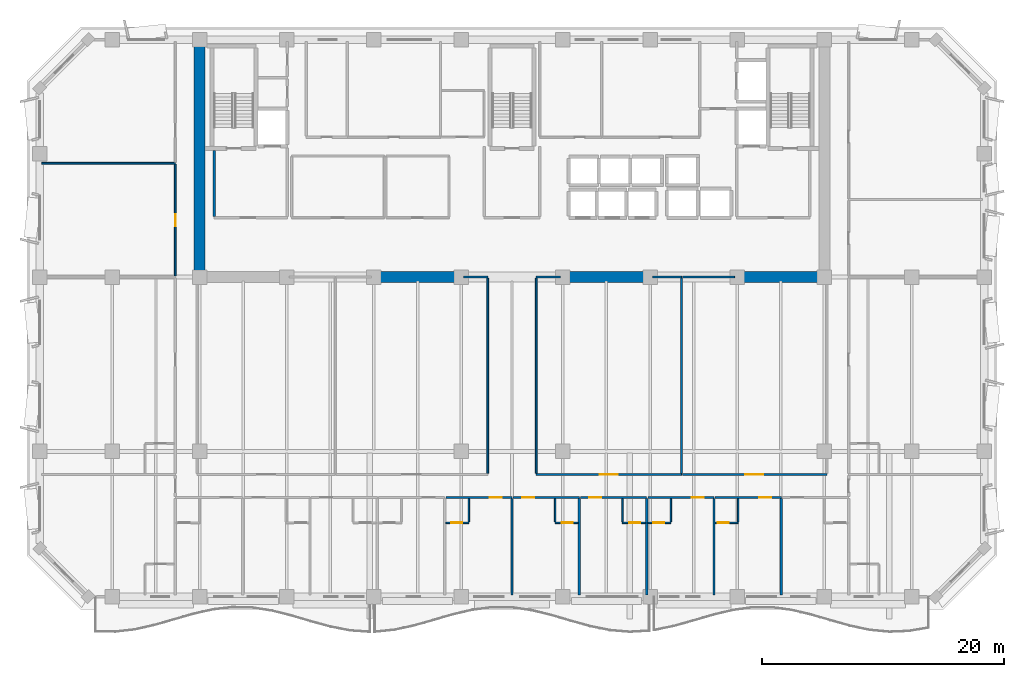
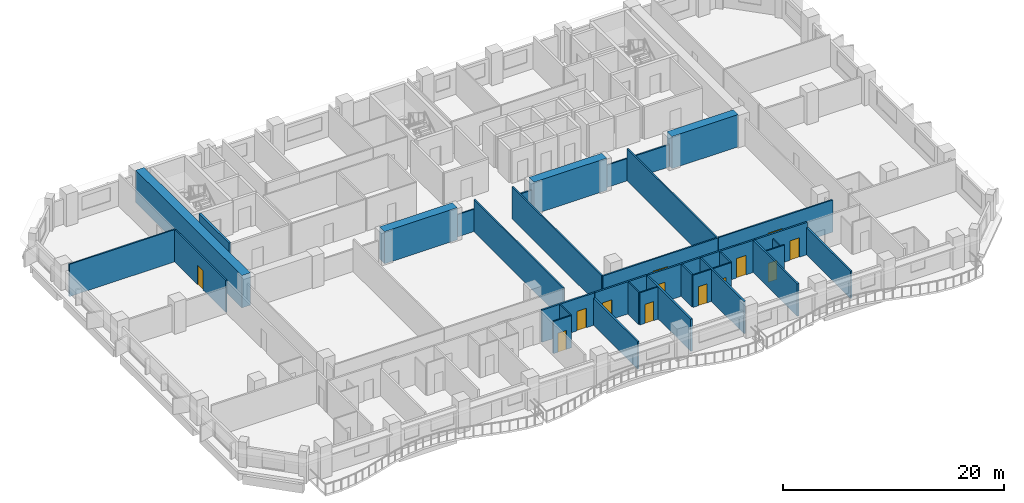
# One storey, part 6 of 15: 36 walls, 13 doors, 13 openings.
"""IFC4 building model written with IfcOpenShell, lengths in metres."""

from ifc_helpers import new_model, si_unit, direction, frame, frame_2d, origin, place, context, subcontext, project, spatial, rectangle, extrude, material, layer, layer_set, type_object, element, fill, save


model = new_model("IFC4")

# Units and contexts
model_context = context("Model", 3, precision=1e-05, world=origin(), true_north=direction((0.0, 1.0)))
body_context = subcontext(model_context, "Body", "Model", "MODEL_VIEW")
ifc_project = project(units=[si_unit("LENGTHUNIT", "METRE"), si_unit("AREAUNIT", "SQUARE_METRE"), si_unit("VOLUMEUNIT", "CUBIC_METRE"), si_unit("PLANEANGLEUNIT", "RADIAN"), si_unit("MASSUNIT", "GRAM", prefix="KILO")], contexts=[model_context])

# Site, building, storey
site_placement = place(None, origin())
site = spatial("IfcSite", under=ifc_project, at=site_placement, CompositionType="ELEMENT")
building_placement = place(site_placement, origin())
building = spatial("IfcBuilding", under=site, at=building_placement, Name="Kaelvorn Grand Hotel", CompositionType="ELEMENT")
storey_placement = place(building_placement, frame((0.0, 0.0, 139.14990234375)))
storey = spatial("IfcBuildingStorey", under=building, at=storey_placement, Name="L33", CompositionType="ELEMENT", Elevation=139.14990234375)

# Walls
ifc_material_1 = material(Name="Concrete C60/75", Category="concrete")
ifc_layer_1 = layer(ifc_material_1, 0.89990234375)
ifc_layer_set_1 = layer_set([ifc_layer_1], Name="Concrete C60/75")
wall_type_1 = type_object("IfcWallType", Name="WL-CORE-900-C60", PredefinedType="SHEAR", material=ifc_layer_set_1)
wall_1_placement = place(storey_placement, frame((16.199951171875, 29.39990234375, 0.0), z_axis=(0.0, 0.0, 1.0), x_axis=(0.0, 1.0, 0.0)))
element("IfcWall", 1, at=wall_1_placement, inside=storey, type_object=wall_type_1, Name="L33 Rear-Core West Shear Wall", PredefinedType="SHEAR", context=body_context, shape_type="SweptSolid", body=[
    extrude(rectangle(XDim=19.2001953125, YDim=0.89990234375, at=frame_2d((9.60009765625, 0.0))), origin(), (0.0, 0.0, 1.0), 3.56005859375),
])
for number, where, z_axis, x_axis, name in (
    (2, (30.39990234375, 29.39990234375, 0.0), (0.0, 0.0, 1.0), (1.0, 0.0, 0.0), "L33 Rear-Core Coupled Shear Pier S2"),
    (3, (46.0, 29.39990234375, 0.0), (0.0, 0.0, 1.0), (1.0, 0.0, 0.0), "L33 Rear-Core Coupled Shear Pier S3"),
):
    element("IfcWall", number, at=place(storey_placement, frame(where, z_axis=z_axis, x_axis=x_axis)), inside=storey, type_object=wall_type_1, Name=name, PredefinedType="SHEAR", context=body_context, shape_type="SweptSolid", body=[
        extrude(rectangle(XDim=7.60009765625, YDim=0.89990234375, at=frame_2d((3.800048828125, 0.0))), origin(), (0.0, 0.0, 1.0), 3.56005859375),
    ])
wall_2_placement = place(storey_placement, frame((60.39990234375, 29.39990234375, 0.0), z_axis=(0.0, 0.0, 1.0), x_axis=(1.0, 0.0, 0.0)))
element("IfcWall", 4, at=wall_2_placement, inside=storey, type_object=wall_type_1, Name="L33 Rear-Core Coupled Shear Pier S4", PredefinedType="SHEAR", context=body_context, shape_type="SweptSolid", body=[
    extrude(rectangle(XDim=6.945068359375, YDim=0.89990234375, at=frame_2d((3.47265625, 0.0))), origin(), (0.0, 0.0, 1.0), 3.56005859375),
])

# Wall, opening, door
ifc_material_2 = material(Name="Moisture-Resistant Tile & Stud Board")
ifc_layer_2 = layer(ifc_material_2, 0.125)
ifc_layer_set_2 = layer_set([ifc_layer_2], Name="Moisture-Resistant Tile & Stud Board")
wall_type_2 = type_object("IfcWallType", Name="WL-PART-125-WET", PredefinedType="PARTITIONING", material=ifc_layer_set_2)
wall_3_placement = place(storey_placement, frame((36.534912109375, 9.110107421875, 0.0), z_axis=(0.0, 0.0, 1.0), x_axis=(1.0, 0.0, 0.0)))
wall_3 = element("IfcWall", 5, at=wall_3_placement, inside=storey, type_object=wall_type_2, Name="L33 En-suite Bathroom L33-05 S Partition", PredefinedType="PARTITIONING", context=body_context, shape_type="SweptSolid", body=[
    extrude(rectangle(XDim=1.905029296875, YDim=0.125, at=frame_2d((0.95263671875, 0.0))), origin(), (0.0, 0.0, 1.0), 3.56005859375),
])
opening_1_placement = place(wall_3_placement, frame((0.455078125, 0.0, 0.0)))
opening_1 = element("IfcOpeningElement", 6, at=opening_1_placement, cuts=wall_3, Name="Opening DI4", PredefinedType="OPENING", context=body_context, shape_type="SweptSolid", body=[
    extrude(rectangle(XDim=0.89990234375, YDim=2.10009765625, at=frame_2d((0.449951171875, 1.050048828125))), frame((0.0, 0.072509765625, 0.0), z_axis=(0.0, -1.0, 0.0), x_axis=(1.0, 0.0, 0.0)), (0.0, 0.0, 1.0), 0.14501953125),
])
ifc_material_3 = material(Name="Timber Veneer Leaf", Category="wood")
door_type_1 = type_object("IfcDoorType", Name="DR-INT-BATH-900x2100", OperationType="NOTDEFINED", PredefinedType="DOOR", material=ifc_material_3)
door_1_placement = place(opening_1_placement, origin())
door_1 = element("IfcDoor", 7, at=door_1_placement, inside=storey, type_object=door_type_1, Name="L33 En-suite Bathroom L33-05 Door", OperationType="SINGLE_SWING_RIGHT", OverallHeight=2.10009765625, OverallWidth=0.89990234375, PredefinedType="DOOR", context=body_context, shape_type="SweptSolid", body=[
    extrude(rectangle(XDim=0.89990234375, YDim=2.10009765625, at=frame_2d((0.449951171875, 1.050048828125))), frame((0.0, 0.02490234375, 0.0), z_axis=(0.0, -1.0, 0.0), x_axis=(1.0, 0.0, 0.0)), (0.0, 0.0, 1.0), 0.050048828125),
])
fill(opening_1, door_1)

# Wall
wall_4_placement = place(storey_placement, frame((38.43994140625, 9.177490234375, 0.0), z_axis=(0.0, 0.0, 1.0), x_axis=(0.0, 1.0, 0.0)))
element("IfcWall", 8, at=wall_4_placement, inside=storey, type_object=wall_type_2, Name="L33 En-suite Bathroom L33-05 E Partition", PredefinedType="PARTITIONING", context=body_context, shape_type="SweptSolid", body=[
    extrude(rectangle(XDim=1.927490234375, YDim=0.125, at=frame_2d((0.9638671875, 0.0))), origin(), (0.0, 0.0, 1.0), 3.56005859375),
])

# Wall, opening, door
wall_5_placement = place(storey_placement, frame((45.56005859375, 9.110107421875, 0.0), z_axis=(0.0, 0.0, 1.0), x_axis=(1.0, 0.0, 0.0)))
wall_5 = element("IfcWall", 9, at=wall_5_placement, inside=storey, type_object=wall_type_2, Name="L33 En-suite Bathroom L33-06 S Partition", PredefinedType="PARTITIONING", context=body_context, shape_type="SweptSolid", body=[
    extrude(rectangle(XDim=1.905029296875, YDim=0.125, at=frame_2d((0.95263671875, 0.0))), origin(), (0.0, 0.0, 1.0), 3.56005859375),
])
opening_2_placement = place(wall_5_placement, frame((0.550048828125, 0.0, 0.0)))
opening_2 = element("IfcOpeningElement", 10, at=opening_2_placement, cuts=wall_5, Name="Opening DI4", PredefinedType="OPENING", context=body_context, shape_type="SweptSolid", body=[
    extrude(rectangle(XDim=0.89990234375, YDim=2.10009765625, at=frame_2d((0.449951171875, 1.050048828125))), frame((0.0, 0.072509765625, 0.0), z_axis=(0.0, -1.0, 0.0), x_axis=(1.0, 0.0, 0.0)), (0.0, 0.0, 1.0), 0.14501953125),
])
door_2_placement = place(opening_2_placement, origin())
door_2 = element("IfcDoor", 11, at=door_2_placement, inside=storey, type_object=door_type_1, Name="L33 En-suite Bathroom L33-06 Door", OperationType="SINGLE_SWING_RIGHT", OverallHeight=2.10009765625, OverallWidth=0.89990234375, PredefinedType="DOOR", context=body_context, shape_type="SweptSolid", body=[
    extrude(rectangle(XDim=0.89990234375, YDim=2.10009765625, at=frame_2d((0.449951171875, 1.050048828125))), frame((0.0, 0.02490234375, 0.0), z_axis=(0.0, -1.0, 0.0), x_axis=(1.0, 0.0, 0.0)), (0.0, 0.0, 1.0), 0.050048828125),
])
fill(opening_2, door_2)

# Wall
wall_6_placement = place(storey_placement, frame((45.56005859375, 9.177490234375, 0.0), z_axis=(0.0, 0.0, 1.0), x_axis=(0.0, 1.0, 0.0)))
element("IfcWall", 12, at=wall_6_placement, inside=storey, type_object=wall_type_2, Name="L33 En-suite Bathroom L33-06 W Partition", PredefinedType="PARTITIONING", context=body_context, shape_type="SweptSolid", body=[
    extrude(rectangle(XDim=1.927490234375, YDim=0.125, at=frame_2d((0.9638671875, 0.0))), origin(), (0.0, 0.0, 1.0), 3.56005859375),
])

# Wall, opening, door
wall_7_placement = place(storey_placement, frame((51.1201171875, 9.110107421875, 0.0), z_axis=(0.0, 0.0, 1.0), x_axis=(1.0, 0.0, 0.0)))
wall_7 = element("IfcWall", 13, at=wall_7_placement, inside=storey, type_object=wall_type_2, Name="L33 En-suite Bathroom L33-07 S Partition", PredefinedType="PARTITIONING", context=body_context, shape_type="SweptSolid", body=[
    extrude(rectangle(XDim=1.90478515625, YDim=0.125, at=frame_2d((0.952392578125, 0.0))), origin(), (0.0, 0.0, 1.0), 3.56005859375),
])
opening_3_placement = place(wall_7_placement, frame((0.550048828125, 0.0, 0.0)))
opening_3 = element("IfcOpeningElement", 14, at=opening_3_placement, cuts=wall_7, Name="Opening DI4", PredefinedType="OPENING", context=body_context, shape_type="SweptSolid", body=[
    extrude(rectangle(XDim=0.89990234375, YDim=2.10009765625, at=frame_2d((0.449951171875, 1.050048828125))), frame((0.0, 0.072509765625, 0.0), z_axis=(0.0, -1.0, 0.0), x_axis=(1.0, 0.0, 0.0)), (0.0, 0.0, 1.0), 0.14501953125),
])
door_3_placement = place(opening_3_placement, origin())
door_3 = element("IfcDoor", 15, at=door_3_placement, inside=storey, type_object=door_type_1, Name="L33 En-suite Bathroom L33-07 Door", OperationType="SINGLE_SWING_RIGHT", OverallHeight=2.10009765625, OverallWidth=0.89990234375, PredefinedType="DOOR", context=body_context, shape_type="SweptSolid", body=[
    extrude(rectangle(XDim=0.89990234375, YDim=2.10009765625, at=frame_2d((0.449951171875, 1.050048828125))), frame((0.0, 0.02490234375, 0.0), z_axis=(0.0, -1.0, 0.0), x_axis=(1.0, 0.0, 0.0)), (0.0, 0.0, 1.0), 0.050048828125),
])
fill(opening_3, door_3)

# Wall
wall_8_placement = place(storey_placement, frame((51.1201171875, 9.177490234375, 0.0), z_axis=(0.0, 0.0, 1.0), x_axis=(0.0, 1.0, 0.0)))
element("IfcWall", 16, at=wall_8_placement, inside=storey, type_object=wall_type_2, Name="L33 En-suite Bathroom L33-07 W Partition", PredefinedType="PARTITIONING", context=body_context, shape_type="SweptSolid", body=[
    extrude(rectangle(XDim=1.927490234375, YDim=0.125, at=frame_2d((0.9638671875, 0.0))), origin(), (0.0, 0.0, 1.0), 3.56005859375),
])

# Wall, opening, door
wall_9_placement = place(storey_placement, frame((53.215087890625, 9.110107421875, 0.0), z_axis=(0.0, 0.0, 1.0), x_axis=(1.0, 0.0, 0.0)))
wall_9 = element("IfcWall", 17, at=wall_9_placement, inside=storey, type_object=wall_type_2, Name="L33 En-suite Bathroom L33-08 S Partition", PredefinedType="PARTITIONING", context=body_context, shape_type="SweptSolid", body=[
    extrude(rectangle(XDim=1.905029296875, YDim=0.125, at=frame_2d((0.95263671875, 0.0))), origin(), (0.0, 0.0, 1.0), 3.56005859375),
])
opening_4_placement = place(wall_9_placement, frame((0.455078125, 0.0, 0.0)))
opening_4 = element("IfcOpeningElement", 18, at=opening_4_placement, cuts=wall_9, Name="Opening DI4", PredefinedType="OPENING", context=body_context, shape_type="SweptSolid", body=[
    extrude(rectangle(XDim=0.89990234375, YDim=2.10009765625, at=frame_2d((0.449951171875, 1.050048828125))), frame((0.0, 0.072509765625, 0.0), z_axis=(0.0, -1.0, 0.0), x_axis=(1.0, 0.0, 0.0)), (0.0, 0.0, 1.0), 0.14501953125),
])
door_4_placement = place(opening_4_placement, origin())
door_4 = element("IfcDoor", 19, at=door_4_placement, inside=storey, type_object=door_type_1, Name="L33 En-suite Bathroom L33-08 Door", OperationType="SINGLE_SWING_RIGHT", OverallHeight=2.10009765625, OverallWidth=0.89990234375, PredefinedType="DOOR", context=body_context, shape_type="SweptSolid", body=[
    extrude(rectangle(XDim=0.89990234375, YDim=2.10009765625, at=frame_2d((0.449951171875, 1.050048828125))), frame((0.0, 0.02490234375, 0.0), z_axis=(0.0, -1.0, 0.0), x_axis=(1.0, 0.0, 0.0)), (0.0, 0.0, 1.0), 0.050048828125),
])
fill(opening_4, door_4)

# Wall
wall_10_placement = place(storey_placement, frame((55.1201171875, 9.177490234375, 0.0), z_axis=(0.0, 0.0, 1.0), x_axis=(0.0, 1.0, 0.0)))
element("IfcWall", 20, at=wall_10_placement, inside=storey, type_object=wall_type_2, Name="L33 En-suite Bathroom L33-08 E Partition", PredefinedType="PARTITIONING", context=body_context, shape_type="SweptSolid", body=[
    extrude(rectangle(XDim=1.927490234375, YDim=0.125, at=frame_2d((0.9638671875, 0.0))), origin(), (0.0, 0.0, 1.0), 3.56005859375),
])

# Wall, opening, door
wall_11_placement = place(storey_placement, frame((58.77490234375, 9.110107421875, 0.0), z_axis=(0.0, 0.0, 1.0), x_axis=(1.0, 0.0, 0.0)))
wall_11 = element("IfcWall", 21, at=wall_11_placement, inside=storey, type_object=wall_type_2, Name="L33 En-suite Bathroom L33-09 S Partition", PredefinedType="PARTITIONING", context=body_context, shape_type="SweptSolid", body=[
    extrude(rectangle(XDim=1.905029296875, YDim=0.125, at=frame_2d((0.95263671875, 0.0))), origin(), (0.0, 0.0, 1.0), 3.56005859375),
])
opening_5_placement = place(wall_11_placement, frame((0.205078125, 0.0, 0.0)))
opening_5 = element("IfcOpeningElement", 22, at=opening_5_placement, cuts=wall_11, Name="Opening DI4", PredefinedType="OPENING", context=body_context, shape_type="SweptSolid", body=[
    extrude(rectangle(XDim=0.89990234375, YDim=2.10009765625, at=frame_2d((0.449951171875, 1.050048828125))), frame((0.0, 0.072509765625, 0.0), z_axis=(0.0, -1.0, 0.0), x_axis=(1.0, 0.0, 0.0)), (0.0, 0.0, 1.0), 0.14501953125),
])
door_5_placement = place(opening_5_placement, origin())
door_5 = element("IfcDoor", 23, at=door_5_placement, inside=storey, type_object=door_type_1, Name="L33 En-suite Bathroom L33-09 Door", OperationType="SINGLE_SWING_RIGHT", OverallHeight=2.10009765625, OverallWidth=0.89990234375, PredefinedType="DOOR", context=body_context, shape_type="SweptSolid", body=[
    extrude(rectangle(XDim=0.89990234375, YDim=2.10009765625, at=frame_2d((0.449951171875, 1.050048828125))), frame((0.0, 0.02490234375, 0.0), z_axis=(0.0, -1.0, 0.0), x_axis=(1.0, 0.0, 0.0)), (0.0, 0.0, 1.0), 0.050048828125),
])
fill(opening_5, door_5)

# Walls
wall_12_placement = place(storey_placement, frame((60.679931640625, 9.177490234375, 0.0), z_axis=(0.0, 0.0, 1.0), x_axis=(0.0, 1.0, 0.0)))
element("IfcWall", 24, at=wall_12_placement, inside=storey, type_object=wall_type_2, Name="L33 En-suite Bathroom L33-09 E Partition", PredefinedType="PARTITIONING", context=body_context, shape_type="SweptSolid", body=[
    extrude(rectangle(XDim=1.927490234375, YDim=0.125, at=frame_2d((0.9638671875, 0.0))), origin(), (0.0, 0.0, 1.0), 3.010009765625),
])
ifc_material_4 = material(Name="Acoustic Gypsum & Stud Partition")
ifc_layer_3 = layer(ifc_material_4, 0.14990234375)
ifc_layer_set_3 = layer_set([ifc_layer_3], Name="Acoustic Gypsum & Stud Partition")
wall_type_3 = type_object("IfcWallType", Name="WL-PART-150-EI60", PredefinedType="PARTITIONING", material=ifc_layer_set_3)
wall_13_placement = place(storey_placement, frame((38.010009765625, 29.39990234375, 0.0), z_axis=(0.0, 0.0, 1.0), x_axis=(1.0, 0.0, 0.0)))
element("IfcWall", 25, at=wall_13_placement, inside=storey, type_object=wall_type_3, Name="L33 Hospitality Tea Kitchen N Partition (2)", PredefinedType="PARTITIONING", context=body_context, shape_type="SweptSolid", body=[
    extrude(rectangle(XDim=1.989990234375, YDim=0.14990234375, at=frame_2d((0.9951171875, 0.0))), origin(), (0.0, 0.0, 1.0), 2.460205078125),
])
wall_14_placement = place(storey_placement, frame((40.0, 13.179931640625, 0.0), z_axis=(0.0, 0.0, 1.0), x_axis=(0.0, 1.0, 0.0)))
element("IfcWall", 26, at=wall_14_placement, inside=storey, type_object=wall_type_3, Name="L33 Hospitality Tea Kitchen E Partition", PredefinedType="PARTITIONING", context=body_context, shape_type="SweptSolid", body=[
    extrude(rectangle(XDim=16.14013671875, YDim=0.14990234375, at=frame_2d((8.070068359375, 0.0))), origin(), (0.0, 0.0, 1.0), 3.56005859375),
])

# Wall, opening, door
wall_15_placement = place(storey_placement, frame((44.0, 13.10009765625, 0.0), z_axis=(0.0, 0.0, 1.0), x_axis=(1.0, 0.0, 0.0)))
wall_15 = element("IfcWall", 27, at=wall_15_placement, inside=storey, type_object=wall_type_3, Name="L33 Executive Study Office S Partition", PredefinedType="PARTITIONING", context=body_context, shape_type="SweptSolid", body=[
    extrude(rectangle(XDim=12.0, YDim=0.14990234375, at=frame_2d((6.0, 0.0))), origin(), (0.0, 0.0, 1.0), 3.56005859375),
])
opening_6_placement = place(wall_15_placement, frame((5.25, 0.0, 0.0)))
opening_6 = element("IfcOpeningElement", 28, at=opening_6_placement, cuts=wall_15, Name="Opening DI5", PredefinedType="OPENING", context=body_context, shape_type="SweptSolid", body=[
    extrude(rectangle(XDim=1.5, YDim=2.25, at=frame_2d((0.75, 1.125))), frame((0.0, 0.0849609375, 0.0), z_axis=(0.0, -1.0, 0.0), x_axis=(1.0, 0.0, 0.0)), (0.0, 0.0, 1.0), 0.169921875),
])
ifc_material_5 = material(Name="Timber Veneer Fire Leaf", Category="wood")
door_type_2 = type_object("IfcDoorType", Name="DR-INT-SALON-1500x2250", OperationType="DOUBLE_DOOR_SINGLE_SWING", PredefinedType="DOOR", material=ifc_material_5)
door_6_placement = place(opening_6_placement, origin())
door_6 = element("IfcDoor", 29, at=door_6_placement, inside=storey, type_object=door_type_2, Name="L33 Executive Study Office Door", OperationType="DOUBLE_DOOR_SINGLE_SWING", OverallHeight=2.25, OverallWidth=1.5, PredefinedType="DOOR", context=body_context, shape_type="SweptSolid", body=[
    extrude(rectangle(XDim=1.5, YDim=2.25, at=frame_2d((0.75, 1.125))), frame((0.0, 0.02490234375, 0.0), z_axis=(0.0, -1.0, 0.0), x_axis=(1.0, 0.0, 0.0)), (0.0, 0.0, 1.0), 0.050048828125),
])
fill(opening_6, door_6)

# Walls
wall_16_placement = place(storey_placement, frame((44.0, 29.39990234375, 0.0), z_axis=(0.0, 0.0, 1.0), x_axis=(1.0, 0.0, 0.0)))
element("IfcWall", 30, at=wall_16_placement, inside=storey, type_object=wall_type_3, Name="L33 Executive Study Office N Partition (1)", PredefinedType="PARTITIONING", context=body_context, shape_type="SweptSolid", body=[
    extrude(rectangle(XDim=1.989990234375, YDim=0.14990234375, at=frame_2d((0.9951171875, 0.0))), origin(), (0.0, 0.0, 1.0), 2.460205078125),
])
wall_17_placement = place(storey_placement, frame((53.610107421875, 29.39990234375, 0.0), z_axis=(0.0, 0.0, 1.0), x_axis=(1.0, 0.0, 0.0)))
element("IfcWall", 31, at=wall_17_placement, inside=storey, type_object=wall_type_3, Name="L33 Executive Study Office N Partition (2)", PredefinedType="PARTITIONING", context=body_context, shape_type="SweptSolid", body=[
    extrude(rectangle(XDim=2.389892578125, YDim=0.14990234375, at=frame_2d((1.19482421875, 0.0))), origin(), (0.0, 0.0, 1.0), 2.460205078125),
])
for number, where, z_axis, x_axis, name in (
    (32, (44.0, 13.179931640625, 0.0), (0.0, 0.0, 1.0), (0.0, 1.0, 0.0), "L33 Executive Study Office W Partition"),
    (33, (56.0, 13.179931640625, 0.0), (0.0, 0.0, 1.0), (0.0, 1.0, 0.0), "L33 Executive Study Office E Partition"),
):
    element("IfcWall", number, at=place(storey_placement, frame(where, z_axis=z_axis, x_axis=x_axis)), inside=storey, type_object=wall_type_3, Name=name, PredefinedType="PARTITIONING", context=body_context, shape_type="SweptSolid", body=[
        extrude(rectangle(XDim=16.14013671875, YDim=0.14990234375, at=frame_2d((8.070068359375, 0.0))), origin(), (0.0, 0.0, 1.0), 3.56005859375),
    ])

# Wall, opening, door
wall_18_placement = place(storey_placement, frame((56.080078125, 13.10009765625, 0.0), z_axis=(0.0, 0.0, 1.0), x_axis=(1.0, 0.0, 0.0)))
wall_18 = element("IfcWall", 34, at=wall_18_placement, inside=storey, type_object=wall_type_3, Name="L33 Wellness Fitness Gym S Partition", PredefinedType="PARTITIONING", context=body_context, shape_type="SweptSolid", body=[
    extrude(rectangle(XDim=11.919921875, YDim=0.14990234375, at=frame_2d((5.9599609375, 0.0))), origin(), (0.0, 0.0, 1.0), 3.56005859375),
])
opening_7_placement = place(wall_18_placement, frame((5.169921875, 0.0, 0.0)))
opening_7 = element("IfcOpeningElement", 35, at=opening_7_placement, cuts=wall_18, Name="Opening DI5", PredefinedType="OPENING", context=body_context, shape_type="SweptSolid", body=[
    extrude(rectangle(XDim=1.5, YDim=2.25, at=frame_2d((0.75, 1.125))), frame((0.0, 0.0849609375, 0.0), z_axis=(0.0, -1.0, 0.0), x_axis=(1.0, 0.0, 0.0)), (0.0, 0.0, 1.0), 0.169921875),
])
door_7_placement = place(opening_7_placement, origin())
door_7 = element("IfcDoor", 36, at=door_7_placement, inside=storey, type_object=door_type_2, Name="L33 Wellness Fitness Gym Door", OperationType="DOUBLE_DOOR_SINGLE_SWING", OverallHeight=2.25, OverallWidth=1.5, PredefinedType="DOOR", context=body_context, shape_type="SweptSolid", body=[
    extrude(rectangle(XDim=1.5, YDim=2.25, at=frame_2d((0.75, 1.125))), frame((0.0, 0.02490234375, 0.0), z_axis=(0.0, -1.0, 0.0), x_axis=(1.0, 0.0, 0.0)), (0.0, 0.0, 1.0), 0.050048828125),
])
fill(opening_7, door_7)

# Walls
wall_19_placement = place(storey_placement, frame((56.080078125, 29.39990234375, 0.0), z_axis=(0.0, 0.0, 1.0), x_axis=(1.0, 0.0, 0.0)))
element("IfcWall", 37, at=wall_19_placement, inside=storey, type_object=wall_type_3, Name="L33 Wellness Fitness Gym N Partition", PredefinedType="PARTITIONING", context=body_context, shape_type="SweptSolid", body=[
    extrude(rectangle(XDim=4.309814453125, YDim=0.14990234375, at=frame_2d((2.15478515625, 0.0))), origin(), (0.0, 0.0, 1.0), 2.460205078125),
])
wall_20_placement = place(storey_placement, frame((3.14990234375, 38.800048828125, 0.0), z_axis=(0.0, 0.0, 1.0), x_axis=(1.0, 0.0, 0.0)))
element("IfcWall", 38, at=wall_20_placement, inside=storey, type_object=wall_type_3, Name="L33 North-West Private Dining Restaurant N Partition", PredefinedType="PARTITIONING", context=body_context, shape_type="SweptSolid", body=[
    extrude(rectangle(XDim=11.050048828125, YDim=0.14990234375, at=frame_2d((5.52490234375, 0.0))), origin(), (0.0, 0.0, 1.0), 3.56005859375),
])

# Wall, opening, door
wall_21_placement = place(storey_placement, frame((14.199951171875, 29.4951171875, 0.0), z_axis=(0.0, 0.0, 1.0), x_axis=(0.0, 1.0, 0.0)))
wall_21 = element("IfcWall", 39, at=wall_21_placement, inside=storey, type_object=wall_type_3, Name="L33 North-West Private Dining Restaurant E Partition", PredefinedType="PARTITIONING", context=body_context, shape_type="SweptSolid", body=[
    extrude(rectangle(XDim=9.224853515625, YDim=0.14990234375, at=frame_2d((4.6123046875, 0.0))), origin(), (0.0, 0.0, 1.0), 3.56005859375),
])
opening_8_placement = place(wall_21_placement, frame((4.10498046875, 0.0, 0.0)))
opening_8 = element("IfcOpeningElement", 40, at=opening_8_placement, cuts=wall_21, Name="Opening DI3", PredefinedType="OPENING", context=body_context, shape_type="SweptSolid", body=[
    extrude(rectangle(XDim=1.0, YDim=2.14990234375, at=frame_2d((0.5, 1.074951171875))), frame((0.0, 0.0849609375, 0.0), z_axis=(0.0, -1.0, 0.0), x_axis=(1.0, 0.0, 0.0)), (0.0, 0.0, 1.0), 0.169921875),
])
door_type_3 = type_object("IfcDoorType", Name="DR-INT-GUEST-1000x2150", OperationType="NOTDEFINED", PredefinedType="DOOR", material=ifc_material_5)
door_8_placement = place(opening_8_placement, origin())
door_8 = element("IfcDoor", 41, at=door_8_placement, inside=storey, type_object=door_type_3, Name="L33 North-West Private Dining Restaurant Door", OperationType="SINGLE_SWING_LEFT", OverallHeight=2.14990234375, OverallWidth=1.0, PredefinedType="DOOR", context=body_context, shape_type="SweptSolid", body=[
    extrude(rectangle(XDim=1.0, YDim=2.14990234375, at=frame_2d((0.5, 1.074951171875))), frame((0.0, 0.02490234375, 0.0), z_axis=(0.0, -1.0, 0.0), x_axis=(1.0, 0.0, 0.0)), (0.0, 0.0, 1.0), 0.050048828125),
])
fill(opening_8, door_8)

ifc_layer_4 = layer(ifc_material_4, 0.179931640625)
ifc_layer_set_4 = layer_set([ifc_layer_4], Name="Acoustic Gypsum & Stud Partition")
wall_type_4 = type_object("IfcWallType", Name="WL-PART-180-EI60", PredefinedType="PARTITIONING", material=ifc_layer_set_4)
wall_22_placement = place(storey_placement, frame((36.534912109375, 11.199951171875, 0.0), z_axis=(0.0, 0.0, 1.0), x_axis=(1.0, 0.0, 0.0)))
wall_22 = element("IfcWall", 42, at=wall_22_placement, inside=storey, type_object=wall_type_4, Name="L33 Mid-Rise Signature Suite L33-05 N Partition", PredefinedType="PARTITIONING", context=body_context, shape_type="SweptSolid", body=[
    extrude(rectangle(XDim=5.465087890625, YDim=0.179931640625, at=frame_2d((2.732421875, 0.0))), origin(), (0.0, 0.0, 1.0), 3.56005859375),
])
opening_9_placement = place(wall_22_placement, frame((3.635009765625, 0.0, 0.0)))
opening_9 = element("IfcOpeningElement", 43, at=opening_9_placement, cuts=wall_22, Name="Opening DI3", PredefinedType="OPENING", context=body_context, shape_type="SweptSolid", body=[
    extrude(rectangle(XDim=1.0, YDim=2.14990234375, at=frame_2d((0.5, 1.074951171875))), frame((0.0, 0.10009765625, 0.0), z_axis=(0.0, -1.0, 0.0), x_axis=(1.0, 0.0, 0.0)), (0.0, 0.0, 1.0), 0.199951171875),
])
door_9_placement = place(opening_9_placement, origin())
door_9 = element("IfcDoor", 44, at=door_9_placement, inside=storey, type_object=door_type_3, Name="L33 Mid-Rise Signature Suite L33-05 Door", OperationType="SINGLE_SWING_LEFT", OverallHeight=2.14990234375, OverallWidth=1.0, PredefinedType="DOOR", context=body_context, shape_type="SweptSolid", body=[
    extrude(rectangle(XDim=1.0, YDim=2.14990234375, at=frame_2d((0.5, 1.074951171875))), frame((0.0, 0.02490234375, 0.0), z_axis=(0.0, -1.0, 0.0), x_axis=(1.0, 0.0, 0.0)), (0.0, 0.0, 1.0), 0.050048828125),
])
fill(opening_9, door_9)

# Wall
wall_23_placement = place(storey_placement, frame((42.0, 3.14990234375, 0.0), z_axis=(0.0, 0.0, 1.0), x_axis=(0.0, 1.0, 0.0)))
element("IfcWall", 45, at=wall_23_placement, inside=storey, type_object=wall_type_4, Name="L33 Mid-Rise Signature Suite L33-05 E Partition", PredefinedType="PARTITIONING", context=body_context, shape_type="SweptSolid", body=[
    extrude(rectangle(XDim=7.955078125, YDim=0.179931640625, at=frame_2d((3.9775390625, 0.0))), origin(), (0.0, 0.0, 1.0), 3.010009765625),
])

# Wall, opening, door
wall_24_placement = place(storey_placement, frame((42.094970703125, 11.199951171875, 0.0), z_axis=(0.0, 0.0, 1.0), x_axis=(1.0, 0.0, 0.0)))
wall_24 = element("IfcWall", 46, at=wall_24_placement, inside=storey, type_object=wall_type_4, Name="L33 Superior King Guest Room L33-06 N Partition", PredefinedType="PARTITIONING", context=body_context, shape_type="SweptSolid", body=[
    extrude(rectangle(XDim=5.465087890625, YDim=0.179931640625, at=frame_2d((2.732421875, 0.0))), origin(), (0.0, 0.0, 1.0), 3.56005859375),
])
opening_10_placement = place(wall_24_placement, frame((0.735107421875, 0.0, 0.0)))
opening_10 = element("IfcOpeningElement", 47, at=opening_10_placement, cuts=wall_24, Name="Opening DI3", PredefinedType="OPENING", context=body_context, shape_type="SweptSolid", body=[
    extrude(rectangle(XDim=1.0, YDim=2.14990234375, at=frame_2d((0.5, 1.074951171875))), frame((0.0, 0.10009765625, 0.0), z_axis=(0.0, -1.0, 0.0), x_axis=(1.0, 0.0, 0.0)), (0.0, 0.0, 1.0), 0.199951171875),
])
door_10_placement = place(opening_10_placement, origin())
door_10 = element("IfcDoor", 48, at=door_10_placement, inside=storey, type_object=door_type_3, Name="L33 Superior King Guest Room L33-06 Door", OperationType="SINGLE_SWING_LEFT", OverallHeight=2.14990234375, OverallWidth=1.0, PredefinedType="DOOR", context=body_context, shape_type="SweptSolid", body=[
    extrude(rectangle(XDim=1.0, YDim=2.14990234375, at=frame_2d((0.5, 1.074951171875))), frame((0.0, 0.02490234375, 0.0), z_axis=(0.0, -1.0, 0.0), x_axis=(1.0, 0.0, 0.0)), (0.0, 0.0, 1.0), 0.050048828125),
])
fill(opening_10, door_10)

# Wall
wall_25_placement = place(storey_placement, frame((47.56005859375, 3.14990234375, 0.0), z_axis=(0.0, 0.0, 1.0), x_axis=(0.0, 1.0, 0.0)))
element("IfcWall", 49, at=wall_25_placement, inside=storey, type_object=wall_type_4, Name="L33 Superior King Guest Room L33-06 E Partition", PredefinedType="PARTITIONING", context=body_context, shape_type="SweptSolid", body=[
    extrude(rectangle(XDim=7.955078125, YDim=0.179931640625, at=frame_2d((3.9775390625, 0.0))), origin(), (0.0, 0.0, 1.0), 3.56005859375),
])

# Wall, opening, door
wall_26_placement = place(storey_placement, frame((47.655029296875, 11.199951171875, 0.0), z_axis=(0.0, 0.0, 1.0), x_axis=(1.0, 0.0, 0.0)))
wall_26 = element("IfcWall", 50, at=wall_26_placement, inside=storey, type_object=wall_type_4, Name="L33 Mid-Rise Signature Suite L33-07 N Partition", PredefinedType="PARTITIONING", context=body_context, shape_type="SweptSolid", body=[
    extrude(rectangle(XDim=5.465087890625, YDim=0.179931640625, at=frame_2d((2.732421875, 0.0))), origin(), (0.0, 0.0, 1.0), 3.56005859375),
])
opening_11_placement = place(wall_26_placement, frame((0.735107421875, 0.0, 0.0)))
opening_11 = element("IfcOpeningElement", 51, at=opening_11_placement, cuts=wall_26, Name="Opening DI3", PredefinedType="OPENING", context=body_context, shape_type="SweptSolid", body=[
    extrude(rectangle(XDim=1.0, YDim=2.14990234375, at=frame_2d((0.5, 1.074951171875))), frame((0.0, 0.10009765625, 0.0), z_axis=(0.0, -1.0, 0.0), x_axis=(1.0, 0.0, 0.0)), (0.0, 0.0, 1.0), 0.199951171875),
])
door_11_placement = place(opening_11_placement, origin())
door_11 = element("IfcDoor", 52, at=door_11_placement, inside=storey, type_object=door_type_3, Name="L33 Mid-Rise Signature Suite L33-07 Door", OperationType="SINGLE_SWING_LEFT", OverallHeight=2.14990234375, OverallWidth=1.0, PredefinedType="DOOR", context=body_context, shape_type="SweptSolid", body=[
    extrude(rectangle(XDim=1.0, YDim=2.14990234375, at=frame_2d((0.5, 1.074951171875))), frame((0.0, 0.02490234375, 0.0), z_axis=(0.0, -1.0, 0.0), x_axis=(1.0, 0.0, 0.0)), (0.0, 0.0, 1.0), 0.050048828125),
])
fill(opening_11, door_11)

# Wall
wall_27_placement = place(storey_placement, frame((53.1201171875, 3.14990234375, 0.0), z_axis=(0.0, 0.0, 1.0), x_axis=(0.0, 1.0, 0.0)))
element("IfcWall", 53, at=wall_27_placement, inside=storey, type_object=wall_type_4, Name="L33 Mid-Rise Signature Suite L33-07 E Partition", PredefinedType="PARTITIONING", context=body_context, shape_type="SweptSolid", body=[
    extrude(rectangle(XDim=7.955078125, YDim=0.179931640625, at=frame_2d((3.9775390625, 0.0))), origin(), (0.0, 0.0, 1.0), 3.56005859375),
])

# Wall, opening, door
wall_28_placement = place(storey_placement, frame((53.215087890625, 11.199951171875, 0.0), z_axis=(0.0, 0.0, 1.0), x_axis=(1.0, 0.0, 0.0)))
wall_28 = element("IfcWall", 54, at=wall_28_placement, inside=storey, type_object=wall_type_4, Name="L33 Superior King Guest Room L33-08 N Partition", PredefinedType="PARTITIONING", context=body_context, shape_type="SweptSolid", body=[
    extrude(rectangle(XDim=5.46484375, YDim=0.179931640625, at=frame_2d((2.732421875, 0.0))), origin(), (0.0, 0.0, 1.0), 3.56005859375),
])
opening_12_placement = place(wall_28_placement, frame((3.635009765625, 0.0, 0.0)))
opening_12 = element("IfcOpeningElement", 55, at=opening_12_placement, cuts=wall_28, Name="Opening DI3", PredefinedType="OPENING", context=body_context, shape_type="SweptSolid", body=[
    extrude(rectangle(XDim=1.0, YDim=2.14990234375, at=frame_2d((0.5, 1.074951171875))), frame((0.0, 0.10009765625, 0.0), z_axis=(0.0, -1.0, 0.0), x_axis=(1.0, 0.0, 0.0)), (0.0, 0.0, 1.0), 0.199951171875),
])
door_12_placement = place(opening_12_placement, origin())
door_12 = element("IfcDoor", 56, at=door_12_placement, inside=storey, type_object=door_type_3, Name="L33 Superior King Guest Room L33-08 Door", OperationType="SINGLE_SWING_LEFT", OverallHeight=2.14990234375, OverallWidth=1.0, PredefinedType="DOOR", context=body_context, shape_type="SweptSolid", body=[
    extrude(rectangle(XDim=1.0, YDim=2.14990234375, at=frame_2d((0.5, 1.074951171875))), frame((0.0, 0.02490234375, 0.0), z_axis=(0.0, -1.0, 0.0), x_axis=(1.0, 0.0, 0.0)), (0.0, 0.0, 1.0), 0.050048828125),
])
fill(opening_12, door_12)

# Wall
wall_29_placement = place(storey_placement, frame((58.679931640625, 3.14990234375, 0.0), z_axis=(0.0, 0.0, 1.0), x_axis=(0.0, 1.0, 0.0)))
element("IfcWall", 57, at=wall_29_placement, inside=storey, type_object=wall_type_4, Name="L33 Superior King Guest Room L33-08 E Partition", PredefinedType="PARTITIONING", context=body_context, shape_type="SweptSolid", body=[
    extrude(rectangle(XDim=7.955078125, YDim=0.179931640625, at=frame_2d((3.9775390625, 0.0))), origin(), (0.0, 0.0, 1.0), 3.56005859375),
])

# Wall, opening, door
wall_30_placement = place(storey_placement, frame((58.77490234375, 11.199951171875, 0.0), z_axis=(0.0, 0.0, 1.0), x_axis=(1.0, 0.0, 0.0)))
wall_30 = element("IfcWall", 58, at=wall_30_placement, inside=storey, type_object=wall_type_4, Name="L33 Mid-Rise Signature Suite L33-09 N Partition", PredefinedType="PARTITIONING", context=body_context, shape_type="SweptSolid", body=[
    extrude(rectangle(XDim=5.465087890625, YDim=0.179931640625, at=frame_2d((2.732421875, 0.0))), origin(), (0.0, 0.0, 1.0), 3.56005859375),
])
opening_13_placement = place(wall_30_placement, frame((3.635009765625, 0.0, 0.0)))
opening_13 = element("IfcOpeningElement", 59, at=opening_13_placement, cuts=wall_30, Name="Opening DI3", PredefinedType="OPENING", context=body_context, shape_type="SweptSolid", body=[
    extrude(rectangle(XDim=1.0, YDim=2.14990234375, at=frame_2d((0.5, 1.074951171875))), frame((0.0, 0.10009765625, 0.0), z_axis=(0.0, -1.0, 0.0), x_axis=(1.0, 0.0, 0.0)), (0.0, 0.0, 1.0), 0.199951171875),
])
door_13_placement = place(opening_13_placement, origin())
door_13 = element("IfcDoor", 60, at=door_13_placement, inside=storey, type_object=door_type_3, Name="L33 Mid-Rise Signature Suite L33-09 Door", OperationType="SINGLE_SWING_LEFT", OverallHeight=2.14990234375, OverallWidth=1.0, PredefinedType="DOOR", context=body_context, shape_type="SweptSolid", body=[
    extrude(rectangle(XDim=1.0, YDim=2.14990234375, at=frame_2d((0.5, 1.074951171875))), frame((0.0, 0.02490234375, 0.0), z_axis=(0.0, -1.0, 0.0), x_axis=(1.0, 0.0, 0.0)), (0.0, 0.0, 1.0), 0.050048828125),
])
fill(opening_13, door_13)

# Walls
wall_31_placement = place(storey_placement, frame((64.239990234375, 3.14990234375, 0.0), z_axis=(0.0, 0.0, 1.0), x_axis=(0.0, 1.0, 0.0)))
element("IfcWall", 61, at=wall_31_placement, inside=storey, type_object=wall_type_4, Name="L33 Mid-Rise Signature Suite L33-09 E Partition", PredefinedType="PARTITIONING", context=body_context, shape_type="SweptSolid", body=[
    extrude(rectangle(XDim=7.955078125, YDim=0.179931640625, at=frame_2d((3.9775390625, 0.0))), origin(), (0.0, 0.0, 1.0), 3.010009765625),
])
ifc_material_6 = material(Name="Concrete C40/50", Category="concrete")
ifc_layer_5 = layer(ifc_material_6, 0.219970703125)
ifc_layer_set_5 = layer_set([ifc_layer_5], Name="Concrete C40/50")
wall_type_5 = type_object("IfcWallType", Name="WL-PART-220-EI120", PredefinedType="PARTITIONING", material=ifc_layer_set_5)
wall_32_placement = place(storey_placement, frame((17.39990234375, 34.4150390625, 0.0), z_axis=(0.0, 0.0, 1.0), x_axis=(0.0, 1.0, 0.0)))
element("IfcWall", 62, at=wall_32_placement, inside=storey, type_object=wall_type_5, Name="L33 Firefighting Lift Lobby 1 W Partition", PredefinedType="PARTITIONING", context=body_context, shape_type="SweptSolid", body=[
    extrude(rectangle(XDim=5.429931640625, YDim=0.219970703125, at=frame_2d((2.71484375, 0.0))), origin(), (0.0, 0.0, 1.0), 3.56005859375),
])

save(model, "model.ifc")
